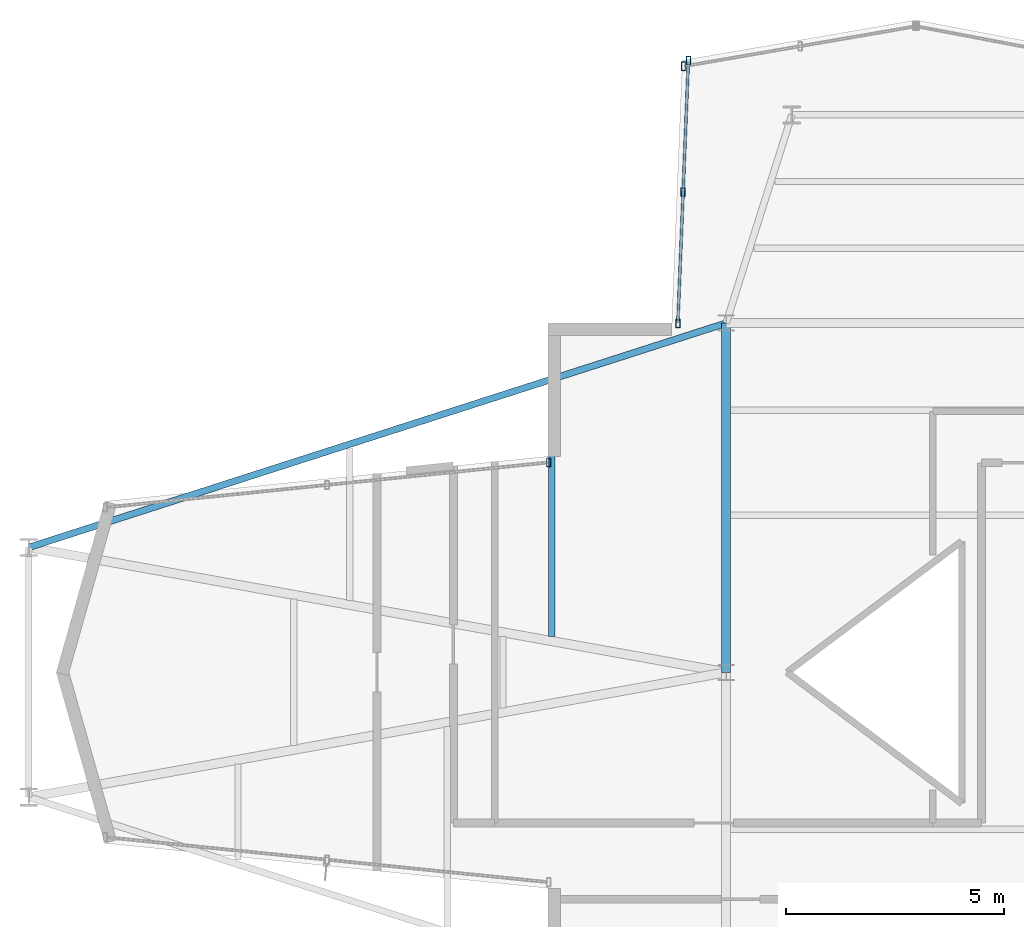
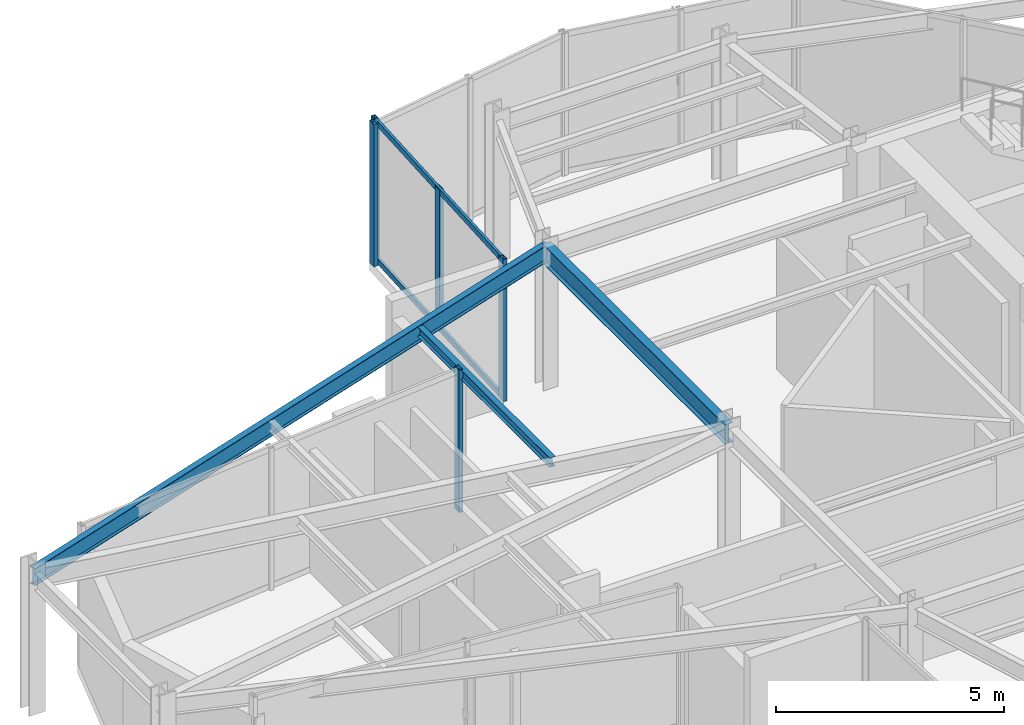
# One storey, part 5 of 14: 7 members, 3 beams, 3 elements without a shape of their own.
"""IFC4 building model written with IfcOpenShell, lengths in metres."""

import ifcopenshell
import ifcopenshell.guid

model = None  # the IFC model being written
_history = None  # IfcOwnerHistory: only IFC2X3 demands one
_inside = {}  # id of a spatial element -> (the spatial element, [elements in it])
_under = {}  # id of a project, library or spatial element -> (it, [spatial elements below it])
_declared = {}  # id of a project -> (the project, [libraries it declares])
_typed = {}  # id of a type object -> (the type object, [elements of that type])
_made_of = {}  # id of a material, layer set ... -> (it, [elements and type objects made of it])


def new_model(schema):
    """Start an empty IFC model of exactly this schema.

    Asked for "IFC4X3", IfcOpenShell would pick the latest addendum, in which some entities
    have other attributes; the version numbers below select the first issue.
    IFC2X3 requires an IfcOwnerHistory on every rooted entity: one is made here for all.
    """
    global model, _history
    if schema == "IFC4X3":
        model = ifcopenshell.file(schema_version=(4, 3, 0, 0))
    else:
        model = ifcopenshell.file(schema=schema)
    _inside.clear()
    _under.clear()
    _declared.clear()
    _typed.clear()
    _made_of.clear()
    _history = None
    if model.schema == "IFC2X3":
        org = make("IfcOrganization", Name="unknown")
        user = make(
            "IfcPersonAndOrganization",
            ThePerson=make("IfcPerson", FamilyName="unknown"),
            TheOrganization=org,
        )
        app = make(
            "IfcApplication",
            ApplicationDeveloper=org,
            Version="unknown",
            ApplicationFullName="unknown",
            ApplicationIdentifier="unknown",
        )
        _history = make(
            "IfcOwnerHistory",
            OwningUser=user,
            OwningApplication=app,
            ChangeAction="ADDED",
            CreationDate=0,
        )
    return model


def make(cls, **values):
    """One entity of the class cls with the attributes given. An attribute that is None is left unset."""
    return model.create_entity(
        cls, **{name: value for name, value in values.items() if value is not None}
    )


def rooted(cls, **values):
    """An entity with a GlobalId (a new one), such as an element, a storey or a relation."""
    return make(cls, GlobalId=ifcopenshell.guid.new(), OwnerHistory=_history, **values)


def si_unit(unit_type, name, prefix=None):
    """IfcSIUnit, for example si_unit("LENGTHUNIT", "METRE", prefix="MILLI")."""
    return make("IfcSIUnit", UnitType=unit_type, Prefix=prefix, Name=name)


def assignment(units):
    """IfcUnitAssignment: the units of a project."""
    return None if units is None else make("IfcUnitAssignment", Units=units)


def point(xyz):
    """IfcCartesianPoint."""
    return None if xyz is None else make("IfcCartesianPoint", Coordinates=xyz)


def direction(xyz):
    """IfcDirection."""
    return None if xyz is None else make("IfcDirection", DirectionRatios=xyz)


def frame(location, z_axis=None, x_axis=None):
    """IfcAxis2Placement3D, a coordinate frame: its origin and axes. An axis left out is left unset."""
    return make(
        "IfcAxis2Placement3D",
        Location=point(location),
        Axis=direction(z_axis),
        RefDirection=direction(x_axis),
    )


def frame_2d(location, x_axis=None):
    """IfcAxis2Placement2D, a coordinate frame in the plane: its origin and x axis."""
    return make(
        "IfcAxis2Placement2D", Location=point(location), RefDirection=direction(x_axis)
    )


def origin():
    """The frame at (0, 0, 0) with its axes left unset."""
    return frame((0.0, 0.0, 0.0))


def origin_2d():
    """The frame at (0, 0) in the plane with its x axis left unset."""
    return frame_2d((0.0, 0.0))


def place(relative_to, where):
    """IfcLocalPlacement: puts the frame where relative to a parent placement (None: the world)."""
    return make(
        "IfcLocalPlacement", PlacementRelTo=relative_to, RelativePlacement=where
    )


def context(
    kind, dimensions, precision=None, world=None, true_north=None, identifier=None
):
    """IfcGeometricRepresentationContext, for example the 3D "Model" context."""
    return make(
        "IfcGeometricRepresentationContext",
        ContextIdentifier=identifier,
        ContextType=kind,
        CoordinateSpaceDimension=dimensions,
        Precision=precision,
        WorldCoordinateSystem=world,
        TrueNorth=true_north,
    )


def subcontext(parent, identifier, kind, view, scale=None):
    """IfcGeometricRepresentationSubContext, for example "Body" below "Model"."""
    return make(
        "IfcGeometricRepresentationSubContext",
        ContextIdentifier=identifier,
        ContextType=kind,
        ParentContext=parent,
        TargetScale=scale,
        TargetView=view,
    )


def project(units=None, contexts=None):
    """IfcProject with its units and contexts."""
    return rooted(
        "IfcProject",
        Name="project",
        RepresentationContexts=contexts,
        UnitsInContext=assignment(units),
    )


def spatial(cls, under=None, at=None, **own):
    """A site, building, storey or space (cls), placed at a placement, below another one or the project."""
    s = rooted(cls, ObjectPlacement=at, **own)
    if under is not None:
        _under.setdefault(under.id(), (under, []))[1].append(s)
    return s


def profile(cls, at=None, kind="AREA", **sizes):
    """A parametric profile (cls). Its sizes go by their IFC names, for example OverallWidth=200.0."""
    return make(cls, ProfileType=kind, Position=at, **sizes)


def hollow_rectangle(**sizes):
    """IfcRectangleHollowProfileDef."""
    return profile("IfcRectangleHollowProfileDef", **sizes)


def i_section(**sizes):
    """IfcIShapeProfileDef."""
    return profile("IfcIShapeProfileDef", **sizes)


def extrude(swept, where, along, depth):
    """IfcExtrudedAreaSolid: the profile swept, set in the frame where, extruded along a direction by depth."""
    return make(
        "IfcExtrudedAreaSolid",
        SweptArea=swept,
        Position=where,
        ExtrudedDirection=direction(along),
        Depth=depth,
    )


def shape(context_of_items, identifier, shape_type, items):
    """IfcShapeRepresentation: the items that make up one representation, for example the "Body"."""
    return make(
        "IfcShapeRepresentation",
        ContextOfItems=context_of_items,
        RepresentationIdentifier=identifier,
        RepresentationType=shape_type,
        Items=items,
    )


def material(Name=None, Category=None):
    """IfcMaterial."""
    return make("IfcMaterial", Name=Name, Category=Category)


def layer(
    of_material, thickness, ventilated=None, Name=None, Category=None, Priority=None
):
    """IfcMaterialLayer: one layer of a wall or slab, of a material (None: an air gap)."""
    return make(
        "IfcMaterialLayer",
        Material=of_material,
        LayerThickness=thickness,
        IsVentilated=ventilated,
        Name=Name,
        Category=Category,
        Priority=Priority,
    )


def layer_set(layers, Name=None):
    """IfcMaterialLayerSet."""
    return make("IfcMaterialLayerSet", MaterialLayers=layers, LayerSetName=Name)


def material_profile(
    of_material, cross_section, Name=None, Category=None, Priority=None
):
    """IfcMaterialProfile: a cross section and its material."""
    return make(
        "IfcMaterialProfile",
        Name=Name,
        Material=of_material,
        Profile=cross_section,
        Priority=Priority,
        Category=Category,
    )


def profile_set(profiles, Name=None, composite=None):
    """IfcMaterialProfileSet."""
    return make(
        "IfcMaterialProfileSet",
        Name=Name,
        MaterialProfiles=profiles,
        CompositeProfile=composite,
    )


def made_of(thing, what):
    """Note that an element or type object is made of a material, layer set ...; save() writes the relation."""
    if what is not None:
        _made_of.setdefault(what.id(), (what, []))[1].append(thing)
    return thing


def type_object(cls, material=None, **own):
    """A type object (cls), such as IfcWallType, which elements share."""
    return made_of(rooted(cls, **own), material)


def element(
    cls,
    number,
    at=None,
    inside=None,
    cuts=None,
    type_object=None,
    material=None,
    context=None,
    identifier="Body",
    shape_type=None,
    held_by="IfcProductDefinitionShape",
    body=None,
    shapes=None,
    **own,
):
    """One element of the class cls, such as IfcWall. Its Tag is "e" and its number.

    at: its placement. inside: the storey or other place that contains it. cuts: it is an
    opening in that element (IfcRelVoidsElement). A single representation is given by context,
    identifier, shape_type and body (its items); several are given by shapes. held_by: the class
    of the entity that holds the representations. save() writes the other relations.
    """
    e = rooted(cls, Tag="e%d" % number, ObjectPlacement=at, **own)
    if body is not None:
        shapes = [shape(context, identifier, shape_type, body)]
    if shapes is not None:
        e.Representation = make(held_by, Representations=shapes)
    if inside is not None:
        _inside.setdefault(inside.id(), (inside, []))[1].append(e)
    if cuts is not None:
        rooted(
            "IfcRelVoidsElement", RelatingBuildingElement=cuts, RelatedOpeningElement=e
        )
    if type_object is not None:
        _typed.setdefault(type_object.id(), (type_object, []))[1].append(e)
    return made_of(e, material)


def aggregate(whole, parts):
    """IfcRelAggregates: a whole, such as a stair, and the parts it consists of."""
    return rooted("IfcRelAggregates", RelatingObject=whole, RelatedObjects=parts)


def save(model, path):
    """Write the relations noted so far, then the file.

    IfcRelAggregates (storeys below a building ...), IfcRelContainedInSpatialStructure (elements
    in a storey), IfcRelDefinesByType, IfcRelAssociatesMaterial and IfcRelDeclares: one each for
    every whole, place, type object, material and project.
    """
    for whole, parts in _under.values():
        aggregate(whole, parts)
    for where, things in _inside.values():
        rooted(
            "IfcRelContainedInSpatialStructure",
            RelatedElements=things,
            RelatingStructure=where,
        )
    for kind, things in _typed.values():
        rooted("IfcRelDefinesByType", RelatedObjects=things, RelatingType=kind)
    for what, things in _made_of.values():
        rooted("IfcRelAssociatesMaterial", RelatedObjects=things, RelatingMaterial=what)
    for by, libraries in _declared.values():
        rooted("IfcRelDeclares", RelatingContext=by, RelatedDefinitions=libraries)
    model.write(path)


model = new_model("IFC4")

# Units and contexts
model_context = context("Model", 3, precision=1e-05, world=origin(), true_north=direction((0.0, 1.0)))
body_context = subcontext(model_context, "Body", "Model", "MODEL_VIEW")
ifc_project = project(units=[si_unit("LENGTHUNIT", "METRE"), si_unit("AREAUNIT", "SQUARE_METRE"), si_unit("VOLUMEUNIT", "CUBIC_METRE"), si_unit("PLANEANGLEUNIT", "RADIAN"), si_unit("MASSUNIT", "GRAM", prefix="KILO")], contexts=[model_context])

# Site, building, storey
site_placement = place(None, origin())
site = spatial("IfcSite", under=ifc_project, at=site_placement, CompositionType="ELEMENT")
building_placement = place(site_placement, origin())
building = spatial("IfcBuilding", under=site, at=building_placement, Name="Veymaron Broadcast Tower", CompositionType="ELEMENT")
storey_placement = place(building_placement, frame((0.0, 0.0, 270.89990234375)))
storey = spatial("IfcBuildingStorey", under=building, at=storey_placement, Name="L63", CompositionType="ELEMENT", Elevation=270.89990234375)

# Beams
ifc_material_1 = material(Name="Structural steel ASTM A992 Gr 50", Category="steel")
ifc_material_profile_1 = material_profile(ifc_material_1, i_section(OverallWidth=0.208984375, OverallDepth=0.528076171875, WebThickness=0.009521484375, FlangeThickness=0.01318359375, at=origin_2d()), Name="W530X82")
ifc_profile_set_1 = profile_set([ifc_material_profile_1], Name="Structural steel ASTM A992 Gr 50")
beam_type_1 = type_object("IfcBeamType", Name="BM-FG4", PredefinedType="BEAM", material=ifc_profile_set_1)
beam_1_placement = place(storey_placement, frame((31.199951171875, 24.0, 3.546142578125), z_axis=(0.0, 1.0, 0.0), x_axis=(-1.0, 0.0, 0.0)))
element("IfcBeam", 1, at=beam_1_placement, inside=storey, type_object=beam_type_1, Name="L63 primary structural floor girder", PredefinedType="BEAM", context=body_context, shape_type="SweptSolid", body=[
    extrude(i_section(OverallWidth=0.208984375, OverallDepth=0.528076171875, WebThickness=0.009521484375, FlangeThickness=0.01318359375, at=origin_2d()), origin(), (0.0, 0.0, 1.0), 8.0),
])
ifc_material_profile_2 = material_profile(ifc_material_1, i_section(OverallWidth=0.14599609375, OverallDepth=0.258056640625, WebThickness=0.006103515625, FlangeThickness=0.009033203125, at=origin_2d()), Name="W250X33")
ifc_profile_set_2 = profile_set([ifc_material_profile_2], Name="Structural steel ASTM A992 Gr 50")
beam_type_2 = type_object("IfcBeamType", Name="BM-JS4", PredefinedType="JOIST", material=ifc_profile_set_2)
beam_2_placement = place(storey_placement, frame((27.2060546875, 24.8154296875, 3.68115234375), z_axis=(0.0, 1.0, 0.0), x_axis=(-1.0, 0.0, 0.0)))
element("IfcBeam", 2, at=beam_2_placement, inside=storey, type_object=beam_type_2, Name="L63 Arm-A secondary joist 2N", PredefinedType="JOIST", context=body_context, shape_type="SweptSolid", body=[
    extrude(i_section(OverallWidth=0.14599609375, OverallDepth=0.258056640625, WebThickness=0.006103515625, FlangeThickness=0.009033203125, at=origin_2d()), origin(), (0.0, 0.0, 1.0), 5.800048828125),
])
ifc_material_profile_3 = material_profile(ifc_material_1, i_section(OverallWidth=0.154052734375, OverallDepth=0.458984375, WebThickness=0.009033203125, FlangeThickness=0.015380859375, at=origin_2d()), Name="W460X68")
ifc_profile_set_3 = profile_set([ifc_material_profile_3], Name="Structural steel ASTM A992 Gr 50")
beam_type_3 = type_object("IfcBeamType", Name="BM-SP2", PredefinedType="SPANDREL", material=ifc_profile_set_3)
beam_3_placement = place(storey_placement, frame((15.224365234375, 26.862060546875, 3.58056640625), z_axis=(0.951977688212, 0.306167407061, 0.0), x_axis=(-0.306167407061, 0.951977688212, 0.0)))
element("IfcBeam", 3, at=beam_3_placement, inside=storey, type_object=beam_type_3, Name="L63 primary structural floor girder", PredefinedType="SPANDREL", context=body_context, shape_type="SweptSolid", body=[
    extrude(i_section(OverallWidth=0.154052734375, OverallDepth=0.458984375, WebThickness=0.009033203125, FlangeThickness=0.015380859375, at=origin_2d()), origin(), (0.0, 0.0, 1.0), 16.781494140625),
])

# Curtain wall, member
ifc_material_2 = material(Name="Anodised aluminium AA 6063-T6 and laminated low-E dark glass", Category="aluminium")
ifc_layer = layer(ifc_material_2, 0.179931640625)
ifc_layer_set = layer_set([ifc_layer], Name="Anodised aluminium AA 6063-T6 and laminated low-E dark glass")
curtain_wall_type = type_object("IfcCurtainWallType", Name="CW-SYS-06", PredefinedType="NOTDEFINED", material=ifc_layer_set)
curtain_wall_1_placement = place(storey_placement, origin())
curtain_wall_1 = element("IfcCurtainWall", 4, at=curtain_wall_1_placement, inside=storey, type_object=curtain_wall_type, Name="L63 dark-glass curtain wall CW-L63-E7-1", PredefinedType="NOTDEFINED")
ifc_material_3 = material(Name="Anodised aluminium AA 6063-T6", Category="aluminium")
ifc_material_profile_4 = material_profile(ifc_material_3, hollow_rectangle(XDim=0.10009765625, YDim=0.199951171875, WallThickness=0.010009765625, at=origin_2d()), Name="RHS200X100X10")
ifc_profile_set_4 = profile_set([ifc_material_profile_4], Name="Anodised aluminium AA 6063-T6")
member_type_1 = type_object("IfcMemberType", Name="CW-MUL-01", PredefinedType="MULLION", material=ifc_profile_set_4)
member_1_placement = place(storey_placement, frame((30.21875, 37.88330078125, 0.0), z_axis=(0.0, 0.0, 1.0), x_axis=(1.0, 0.0, 0.0)))
member_1 = element("IfcMember", 5, at=member_1_placement, type_object=member_type_1, Name="CW-L63-E7-1 mullion 2", PredefinedType="MULLION", context=body_context, shape_type="SweptSolid", body=[
    extrude(hollow_rectangle(XDim=0.10009765625, YDim=0.199951171875, WallThickness=0.010009765625, at=origin_2d()), origin(), (0.0, 0.0, 1.0), 3.81005859375),
])
aggregate(curtain_wall_1, [member_1])

# Curtain wall, members
curtain_wall_2_placement = place(storey_placement, origin())
curtain_wall_2 = element("IfcCurtainWall", 6, at=curtain_wall_2_placement, inside=storey, type_object=curtain_wall_type, Name="L63 dark-glass curtain wall CW-L63-E8-1", PredefinedType="NOTDEFINED")
member_2_placement = place(storey_placement, frame((30.3349609375, 38.015625, 0.0), z_axis=(0.0, 0.0, 1.0), x_axis=(1.0, 0.0, 0.0)))
member_2 = element("IfcMember", 7, at=member_2_placement, type_object=member_type_1, Name="CW-L63-E8-1 mullion 0", PredefinedType="MULLION", context=body_context, shape_type="SweptSolid", body=[
    extrude(hollow_rectangle(XDim=0.10009765625, YDim=0.199951171875, WallThickness=0.010009765625, at=origin_2d()), origin(), (0.0, 0.0, 1.0), 3.81005859375),
])
member_3_placement = place(storey_placement, frame((30.214111328125, 35.0048828125, 0.0), z_axis=(0.0, 0.0, 1.0), x_axis=(1.0, 0.0, 0.0)))
member_3 = element("IfcMember", 8, at=member_3_placement, type_object=member_type_1, Name="CW-L63-E8-1 mullion 1", PredefinedType="MULLION", context=body_context, shape_type="SweptSolid", body=[
    extrude(hollow_rectangle(XDim=0.10009765625, YDim=0.199951171875, WallThickness=0.010009765625, at=origin_2d()), origin(), (0.0, 0.0, 1.0), 3.81005859375),
])
member_4_placement = place(storey_placement, frame((30.093505859375, 31.994384765625, 0.0), z_axis=(0.0, 0.0, 1.0), x_axis=(1.0, 0.0, 0.0)))
member_4 = element("IfcMember", 9, at=member_4_placement, type_object=member_type_1, Name="CW-L63-E8-1 mullion 2", PredefinedType="MULLION", context=body_context, shape_type="SweptSolid", body=[
    extrude(hollow_rectangle(XDim=0.10009765625, YDim=0.199951171875, WallThickness=0.010009765625, at=origin_2d()), origin(), (0.0, 0.0, 1.0), 3.81005859375),
])

# Curtain wall, member
curtain_wall_3_placement = place(storey_placement, origin())
curtain_wall_3 = element("IfcCurtainWall", 10, at=curtain_wall_3_placement, inside=storey, type_object=curtain_wall_type, Name="L63 dark-glass curtain wall CW-L63-E11-1", PredefinedType="NOTDEFINED")
member_5_placement = place(storey_placement, frame((27.1357421875, 28.8095703125, 0.0), z_axis=(0.0, 0.0, 1.0), x_axis=(1.0, 0.0, 0.0)))
member_5 = element("IfcMember", 11, at=member_5_placement, type_object=member_type_1, Name="CW-L63-E11-1 mullion 0", PredefinedType="MULLION", context=body_context, shape_type="SweptSolid", body=[
    extrude(hollow_rectangle(XDim=0.10009765625, YDim=0.199951171875, WallThickness=0.010009765625, at=origin_2d()), origin(), (0.0, 0.0, 1.0), 3.81005859375),
])
aggregate(curtain_wall_3, [member_5])

# Member
ifc_material_profile_5 = material_profile(ifc_material_3, hollow_rectangle(XDim=0.06494140625, YDim=0.14990234375, WallThickness=0.00390625, at=origin_2d()), Name="AL150X65X4")
ifc_profile_set_5 = profile_set([ifc_material_profile_5], Name="Anodised aluminium AA 6063-T6")
member_type_2 = type_object("IfcMemberType", Name="CW-TRN-01", PredefinedType="USERDEFINED", material=ifc_profile_set_5)
member_6_placement = place(storey_placement, frame((30.3330078125, 37.965576171875, 0.070068359375), z_axis=(-0.040045368506, -0.999197862518, 0.0), x_axis=(0.999197862518, -0.040045368506, 0.0)))
member_6 = element("IfcMember", 12, at=member_6_placement, type_object=member_type_2, Name="CW-L63-E8-1 transom B", ObjectType="TRANSOM", PredefinedType="USERDEFINED", context=body_context, shape_type="SweptSolid", body=[
    extrude(hollow_rectangle(XDim=0.06494140625, YDim=0.14990234375, WallThickness=0.00390625, at=origin_2d()), origin(), (0.0, 0.0, 1.0), 5.92578125),
])

member_7_placement = place(storey_placement, frame((30.3330078125, 37.965576171875, 3.739990234375), z_axis=(-0.040045368506, -0.999197862518, 0.0), x_axis=(0.999197862518, -0.040045368506, 0.0)))
member_7 = element("IfcMember", 13, at=member_7_placement, type_object=member_type_2, Name="CW-L63-E8-1 transom T", ObjectType="TRANSOM", PredefinedType="USERDEFINED", context=body_context, shape_type="SweptSolid", body=[
    extrude(hollow_rectangle(XDim=0.06494140625, YDim=0.14990234375, WallThickness=0.00390625, at=origin_2d()), origin(), (0.0, 0.0, 1.0), 5.92578125),
])

aggregate(curtain_wall_2, [member_2, member_3, member_4, member_6, member_7])

save(model, "model.ifc")
